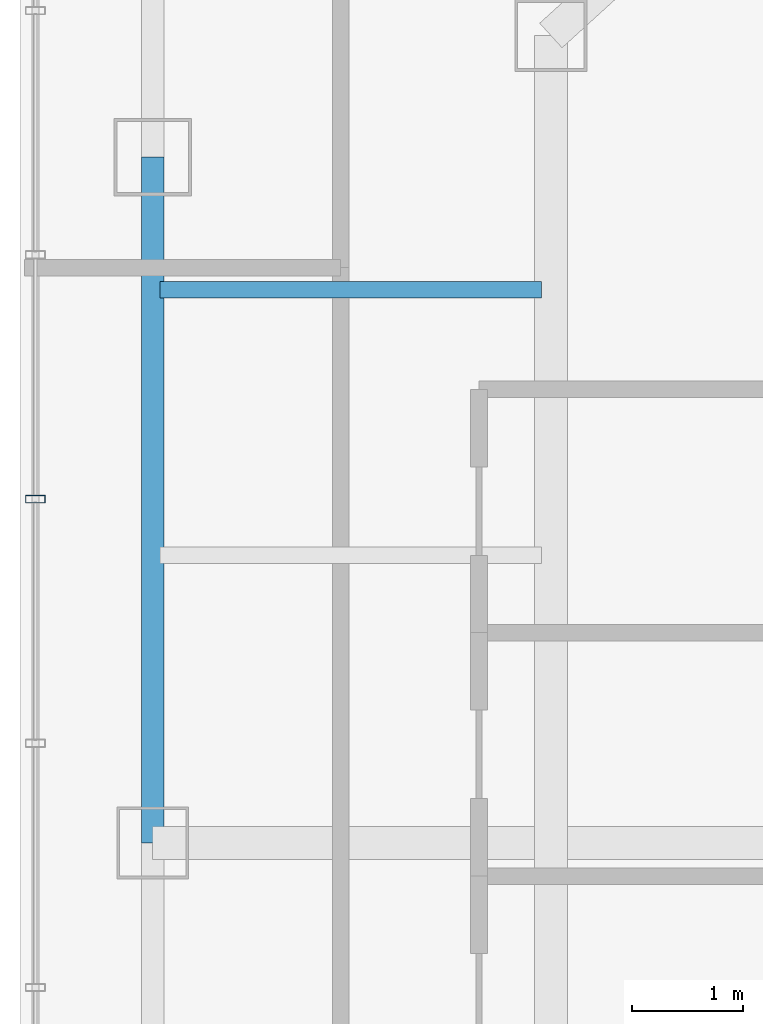
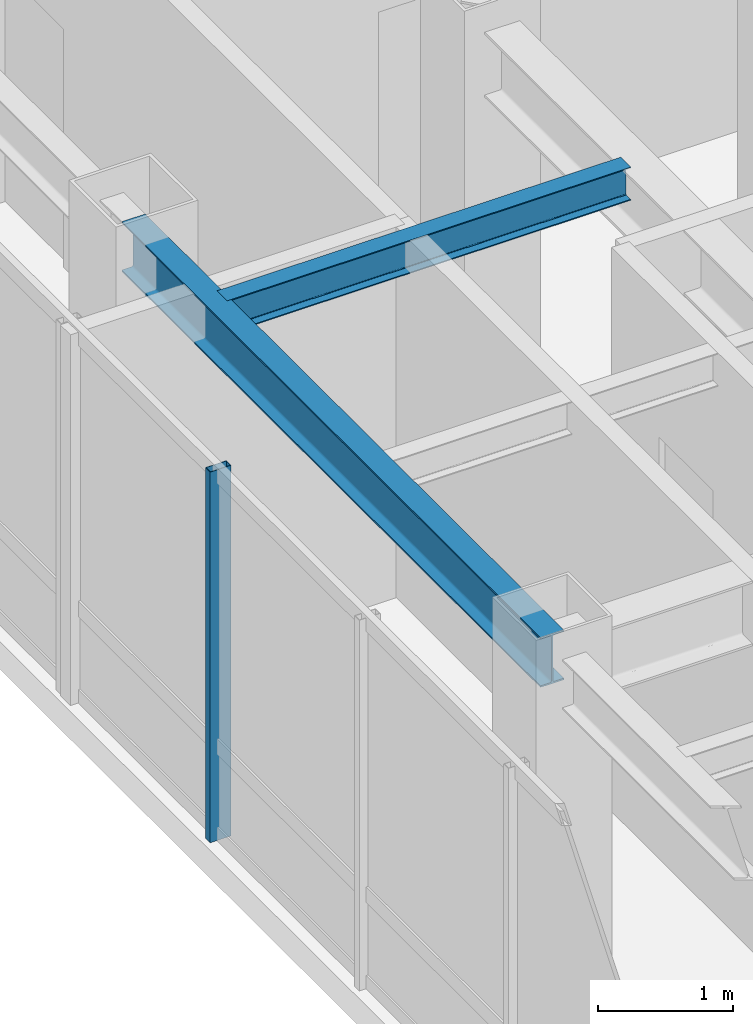
# One storey, part 8 of 25: 2 beams, 1 member, 1 element without a shape of its own.
"""IFC4 building model written with IfcOpenShell, lengths in metres."""

from ifc_helpers import new_model, si_unit, direction, frame, origin, origin_2d, place, context, subcontext, project, spatial, hollow_rectangle, i_section, extrude, material, layer, layer_set, material_profile, profile_set, type_object, element, aggregate, save


model = new_model("IFC4")

# Units and contexts
model_context = context("Model", 3, precision=1e-05, world=origin(), true_north=direction((0.0, 1.0)))
body_context = subcontext(model_context, "Body", "Model", "MODEL_VIEW")
ifc_project = project(units=[si_unit("LENGTHUNIT", "METRE"), si_unit("AREAUNIT", "SQUARE_METRE"), si_unit("VOLUMEUNIT", "CUBIC_METRE"), si_unit("PLANEANGLEUNIT", "RADIAN"), si_unit("MASSUNIT", "GRAM", prefix="KILO")], contexts=[model_context])

# Site, building, storey
site_placement = place(None, origin())
site = spatial("IfcSite", under=ifc_project, at=site_placement, CompositionType="ELEMENT")
building_placement = place(site_placement, origin())
building = spatial("IfcBuilding", under=site, at=building_placement, Name="Hatsunagi Terrace Concourse", CompositionType="ELEMENT")
storey_placement = place(building_placement, frame((0.0, 0.0, 216.75)))
storey = spatial("IfcBuildingStorey", under=building, at=storey_placement, Name="L57", CompositionType="ELEMENT", Elevation=216.75)

# Curtain wall, member
ifc_material_1 = material(Name="Anodised Aluminium Alloy 6063-T5", Category="aluminium")
ifc_layer = layer(ifc_material_1, 0.199951171875)
ifc_layer_set = layer_set([ifc_layer], Name="OfficeZone2_CW04")
curtain_wall_type = type_object("IfcCurtainWallType", Name="OfficeZone2_CW04", PredefinedType="NOTDEFINED", material=ifc_layer_set)
curtain_wall_placement = place(storey_placement, origin())
curtain_wall = element("IfcCurtainWall", 1, at=curtain_wall_placement, inside=storey, type_object=curtain_wall_type, Name="Unitised Curtain Wall CW-04 CW-L57-08", PredefinedType="NOTDEFINED")
ifc_material_2 = material(Name="Anodised Aluminium Alloy 6063-T5", Category="aluminium")
ifc_material_profile_1 = material_profile(ifc_material_2, hollow_rectangle(XDim=0.070068359375, YDim=0.179931640625, WallThickness=0.00390625, at=origin_2d()), Name="ALU-MUL-180x70x4")
ifc_profile_set_1 = profile_set([ifc_material_profile_1], Name="Anodised Aluminium Alloy 6063-T5")
member_type = type_object("IfcMemberType", Name="CurtainWallMullion_180x70", PredefinedType="MULLION", material=ifc_profile_set_1)
member_placement = place(storey_placement, frame((18.139892578125, 39.10791015625, 0.0), z_axis=(0.0, 0.0, 1.0), x_axis=(0.0, 1.0, 0.0)))
member = element("IfcMember", 2, at=member_placement, type_object=member_type, Name="Curtain Wall Mullion MUL-02", PredefinedType="MULLION", context=body_context, shape_type="SweptSolid", body=[
    extrude(hollow_rectangle(XDim=0.070068359375, YDim=0.179931640625, WallThickness=0.00390625, at=origin_2d()), origin(), (0.0, 0.0, 1.0), 3.35009765625),
])
aggregate(curtain_wall, [member])

# Beams
ifc_material_3 = material(Name="Steel SN490B", Category="steel")
ifc_material_profile_2 = material_profile(ifc_material_3, i_section(OverallWidth=0.14990234375, OverallDepth=0.300048828125, WebThickness=0.006591796875, FlangeThickness=0.009033203125, FilletRadius=0.010986328125, at=origin_2d()), Name="H-300x150x6.5x9")
ifc_profile_set_2 = profile_set([ifc_material_profile_2], Name="Steel SN490B")
beam_type_1 = type_object("IfcBeamType", Name="OfficeJoist_H_300x150", PredefinedType="JOIST", material=ifc_profile_set_2)
beam_1_placement = place(storey_placement, frame((19.264892578125, 41.0, 3.199951171875), z_axis=(1.0, 0.0, 0.0), x_axis=(0.0, 1.0, 0.0)))
element("IfcBeam", 3, at=beam_1_placement, inside=storey, type_object=beam_type_1, Name="Beam J-03 J-L57-W-19-410", PredefinedType="JOIST", context=body_context, shape_type="SweptSolid", body=[
    extrude(i_section(OverallWidth=0.14990234375, OverallDepth=0.300048828125, WebThickness=0.006591796875, FlangeThickness=0.009033203125, FilletRadius=0.010986328125, at=origin_2d()), origin(), (0.0, 0.0, 1.0), 3.4501953125),
])
ifc_material_4 = material(Name="Steel SN490B", Category="steel")
ifc_material_profile_3 = material_profile(ifc_material_4, i_section(OverallWidth=0.199951171875, OverallDepth=0.449951171875, WebThickness=0.009033203125, FlangeThickness=0.013916015625, FilletRadius=0.01611328125, at=origin_2d()), Name="H-450x200x9x14")
ifc_profile_set_3 = profile_set([ifc_material_profile_3], Name="Steel SN490B")
beam_type_2 = type_object("IfcBeamType", Name="PerimeterSpandrel_H_450x200", PredefinedType="SPANDREL", material=ifc_profile_set_3)
beam_2_placement = place(storey_placement, frame((19.199951171875, 36.0, 3.125), z_axis=(0.0, 1.0, 0.0), x_axis=(-1.0, 0.0, 0.0)))
element("IfcBeam", 4, at=beam_2_placement, inside=storey, type_object=beam_type_2, Name="Beam SP-02 BM-L57-NS-19-36", PredefinedType="SPANDREL", context=body_context, shape_type="SweptSolid", body=[
    extrude(i_section(OverallWidth=0.199951171875, OverallDepth=0.449951171875, WebThickness=0.009033203125, FlangeThickness=0.013916015625, FilletRadius=0.01611328125, at=origin_2d()), origin(), (0.0, 0.0, 1.0), 6.199951171875),
])

save(model, "model.ifc")
